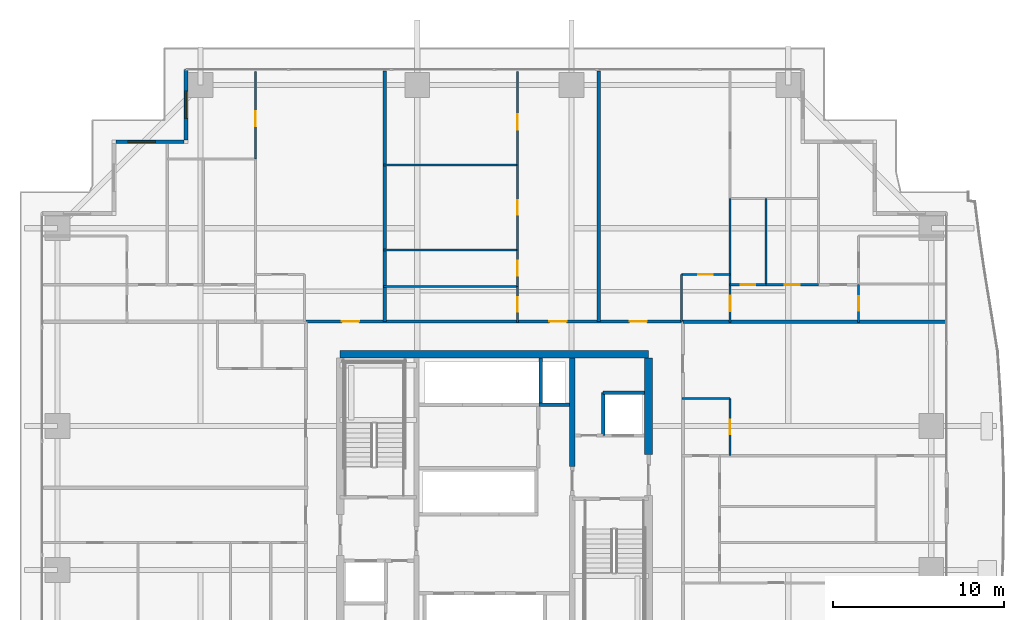
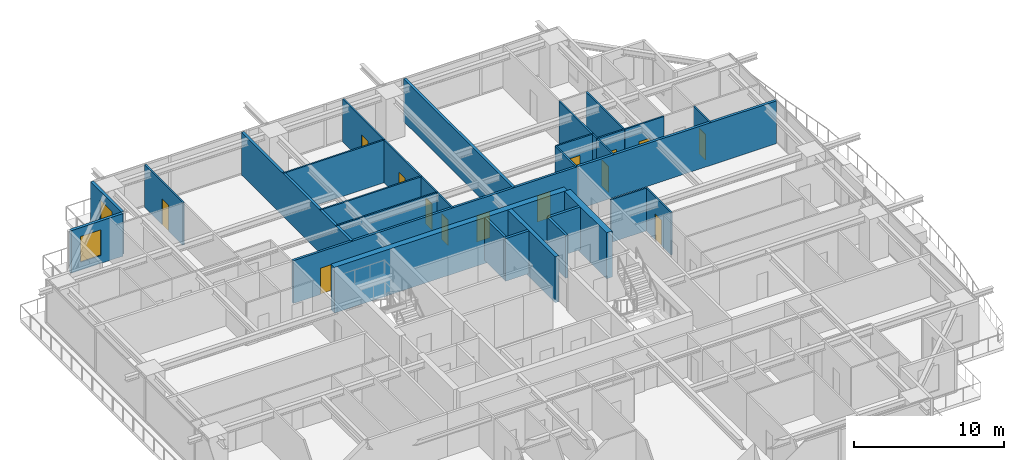
# One storey, part 31 of 39: 31 walls, 14 doors, 2 windows, 16 openings.
"""IFC4 building model written with IfcOpenShell, lengths in metres."""

from ifc_helpers import new_model, si_unit, direction, frame, frame_2d, origin, place, context, subcontext, project, spatial, rectangle, extrude, source, transform, mapped, material, layer, layer_set, type_object, element, fill, save


model = new_model("IFC4")

# Units and contexts
model_context = context("Model", 3, precision=1e-05, world=origin(), true_north=direction((0.0, 1.0)))
body_context = subcontext(model_context, "Body", "Model", "MODEL_VIEW")
ifc_project = project(units=[si_unit("LENGTHUNIT", "METRE"), si_unit("AREAUNIT", "SQUARE_METRE"), si_unit("VOLUMEUNIT", "CUBIC_METRE"), si_unit("PLANEANGLEUNIT", "RADIAN"), si_unit("MASSUNIT", "GRAM", prefix="KILO")], contexts=[model_context])

# Site, building, storey
site_placement = place(None, origin())
site = spatial("IfcSite", under=ifc_project, at=site_placement, CompositionType="ELEMENT")
building_placement = place(site_placement, origin())
building = spatial("IfcBuilding", under=site, at=building_placement, Name="Serunith Strait Residences", CompositionType="ELEMENT")
storey_placement = place(building_placement, frame((0.0, 0.0, 49.199951171875)))
storey = spatial("IfcBuildingStorey", under=building, at=storey_placement, Name="L11", CompositionType="ELEMENT", Elevation=49.199951171875)

# Wall, opening, window
ifc_material_1 = material(Name="Pale-Champagne Aluminium Insulated Panel", Category="aluminium")
ifc_layer_1 = layer(ifc_material_1, 0.219970703125, Name="Pale-Champagne Aluminium Insulated Panel")
ifc_layer_set_1 = layer_set([ifc_layer_1], Name="Pale-Champagne Aluminium Insulated Panel")
wall_type_1 = type_object("IfcWallType", Name="EW-ALUM-220", PredefinedType="ELEMENTEDWALL", material=ifc_layer_set_1)
wall_1_placement = place(storey_placement, frame((14.39990234375, 50.199951171875, 0.0), z_axis=(0.0, 0.0, 1.0), x_axis=(0.0, -1.0, 0.0)))
wall_1 = element("IfcWall", 1, at=wall_1_placement, inside=storey, type_object=wall_type_1, Name="L11 Girih Serrated Corner Wall 12", PredefinedType="ELEMENTEDWALL", context=body_context, shape_type="SweptSolid", body=[
    extrude(rectangle(XDim=4.08984375, YDim=0.219970703125, at=frame_2d((2.044921875, 0.0))), origin(), (0.0, 0.0, 1.0), 3.47509765625),
])
opening_1_placement = place(wall_1_placement, frame((1.2451171875, 0.0, 0.64990234375)))
opening_1 = element("IfcOpeningElement", 2, at=opening_1_placement, cuts=wall_1, Name="Opening W-02", PredefinedType="OPENING", context=body_context, shape_type="SweptSolid", body=[
    extrude(rectangle(XDim=1.60009765625, YDim=2.10009765625, at=frame_2d((0.800048828125, 1.050048828125))), frame((0.0, 0.1201171875, 0.0), z_axis=(0.0, -1.0, 0.0), x_axis=(1.0, 0.0, 0.0)), (0.0, 0.0, 1.0), 0.239990234375),
])
ifc_material_2 = material(Name="Ceramic-Fritted Operable Aluminium Window Glass", Category="aluminium")
window_type = type_object("IfcWindowType", Name="WIN-C2", PartitioningType="DOUBLE_PANEL_VERTICAL", PredefinedType="WINDOW", material=ifc_material_2)
shared_shape_1 = source(origin(), body_context, "Body", "SweptSolid", [
    extrude(rectangle(XDim=1.60009765625, YDim=2.10009765625, at=frame_2d((0.800048828125, 1.050048828125))), frame((0.0, 0.030029296875, 0.0), z_axis=(0.0, -1.0, 0.0), x_axis=(1.0, 0.0, 0.0)), (0.0, 0.0, 1.0), 0.06005859375),
])
window_1_placement = place(opening_1_placement, origin())
window_1 = element("IfcWindow", 3, at=window_1_placement, inside=storey, type_object=window_type, Name="L11 Corner Operable Fritted Window 12", OverallHeight=2.10009765625, OverallWidth=1.60009765625, PartitioningType="SINGLE_PANEL", PredefinedType="WINDOW", context=body_context, shape_type="MappedRepresentation", body=[
    mapped(shared_shape_1, transform((0.0, 0.0, 0.0), scale=1.0)),
])
fill(opening_1, window_1)

wall_2_placement = place(storey_placement, frame((14.2900390625, 46.0, 0.0), z_axis=(0.0, 0.0, 1.0), x_axis=(-1.0, 0.0, 0.0)))
wall_2 = element("IfcWall", 4, at=wall_2_placement, inside=storey, type_object=wall_type_1, Name="L11 Girih Serrated Corner Wall 13", PredefinedType="ELEMENTEDWALL", context=body_context, shape_type="SweptSolid", body=[
    extrude(rectangle(XDim=3.97998046875, YDim=0.219970703125, at=frame_2d((1.989990234375, 0.0))), origin(), (0.0, 0.0, 1.0), 3.47509765625),
])
opening_2_placement = place(wall_2_placement, frame((1.666015625, 0.0, 0.64990234375)))
opening_2 = element("IfcOpeningElement", 5, at=opening_2_placement, cuts=wall_2, Name="Opening W-02", PredefinedType="OPENING", context=body_context, shape_type="SweptSolid", body=[
    extrude(rectangle(XDim=1.60009765625, YDim=2.10009765625, at=frame_2d((0.800048828125, 1.050048828125))), frame((0.0, 0.1201171875, 0.0), z_axis=(0.0, -1.0, 0.0), x_axis=(1.0, 0.0, 0.0)), (0.0, 0.0, 1.0), 0.239990234375),
])
window_2_placement = place(opening_2_placement, origin())
window_2 = element("IfcWindow", 6, at=window_2_placement, inside=storey, type_object=window_type, Name="L11 Corner Operable Fritted Window 13", OverallHeight=2.10009765625, OverallWidth=1.60009765625, PartitioningType="SINGLE_PANEL", PredefinedType="WINDOW", context=body_context, shape_type="MappedRepresentation", body=[
    mapped(shared_shape_1, transform((0.0, 0.0, 0.0), scale=1.0)),
])
fill(opening_2, window_2)

# Wall, openings, doors
ifc_material_3 = material(Name="Fire-rated acoustic gypsum partition")
ifc_layer_2 = layer(ifc_material_3, 0.179931640625, Name="Fire-rated acoustic gypsum partition")
ifc_layer_set_2 = layer_set([ifc_layer_2], Name="Fire-rated acoustic gypsum partition")
wall_type_2 = type_object("IfcWallType", Name="IW-CORR-180", PredefinedType="PARTITIONING", material=ifc_layer_set_2)
wall_3_placement = place(storey_placement, frame((21.402099609375, 35.5, 0.0), z_axis=(0.0, 0.0, 1.0), x_axis=(1.0, 0.0, 0.0)))
wall_3 = element("IfcWall", 7, at=wall_3_placement, inside=storey, type_object=wall_type_2, Name="L11 Partition Wall 022", PredefinedType="PARTITIONING", context=body_context, shape_type="SweptSolid", body=[
    extrude(rectangle(XDim=21.995849609375, YDim=0.179931640625, at=frame_2d((10.998046875, 0.0))), origin(), (0.0, 0.0, 1.0), 3.489990234375),
])
opening_3_placement = place(wall_3_placement, frame((2.10009765625, 0.0, 0.0)))
opening_3 = element("IfcOpeningElement", 8, at=opening_3_placement, cuts=wall_3, Name="Opening D-APT1000", PredefinedType="OPENING", context=body_context, shape_type="SweptSolid", body=[
    extrude(rectangle(XDim=1.0, YDim=2.14990234375, at=frame_2d((0.5, 1.074951171875))), frame((0.0, 0.10009765625, 0.0), z_axis=(0.0, -1.0, 0.0), x_axis=(1.0, 0.0, 0.0)), (0.0, 0.0, 1.0), 0.199951171875),
])
opening_4_placement = place(wall_3_placement, frame((14.214111328125, 0.0, 0.0)))
opening_4 = element("IfcOpeningElement", 9, at=opening_4_placement, cuts=wall_3, Name="Opening D-APT1000", PredefinedType="OPENING", context=body_context, shape_type="SweptSolid", body=[
    extrude(rectangle(XDim=1.0, YDim=2.14990234375, at=frame_2d((0.5, 1.074951171875))), frame((0.0, 0.10009765625, 0.0), z_axis=(0.0, -1.0, 0.0), x_axis=(1.0, 0.0, 0.0)), (0.0, 0.0, 1.0), 0.199951171875),
])
opening_5_placement = place(wall_3_placement, frame((18.89599609375, 0.0, 0.0)))
opening_5 = element("IfcOpeningElement", 10, at=opening_5_placement, cuts=wall_3, Name="Opening D-APT1000", PredefinedType="OPENING", context=body_context, shape_type="SweptSolid", body=[
    extrude(rectangle(XDim=1.0, YDim=2.14990234375, at=frame_2d((0.5, 1.074951171875))), frame((0.0, 0.10009765625, 0.0), z_axis=(0.0, -1.0, 0.0), x_axis=(1.0, 0.0, 0.0)), (0.0, 0.0, 1.0), 0.199951171875),
])
ifc_material_4 = material(Name="Solid timber engineered fire door", Category="wood")
door_type_1 = type_object("IfcDoorType", Name="ID-APT-1000", OperationType="NOTDEFINED", PredefinedType="DOOR", material=ifc_material_4)
shared_shape_2 = source(origin(), body_context, "Body", "SweptSolid", [
    extrude(rectangle(XDim=1.0, YDim=2.14990234375, at=frame_2d((0.5, 1.074951171875))), frame((0.0, 0.02490234375, 0.0), z_axis=(0.0, -1.0, 0.0), x_axis=(1.0, 0.0, 0.0)), (0.0, 0.0, 1.0), 0.050048828125),
])
door_1_placement = place(opening_3_placement, origin())
door_1 = element("IfcDoor", 11, at=door_1_placement, inside=storey, type_object=door_type_1, Name="L11 Unit 02 Entrance Door", OperationType="SINGLE_SWING_LEFT", OverallHeight=2.14990234375, OverallWidth=1.0, PredefinedType="DOOR", context=body_context, shape_type="MappedRepresentation", body=[
    mapped(shared_shape_2, transform((0.0, 0.0, 0.0), scale=1.0)),
])
fill(opening_3, door_1)
door_2_placement = place(opening_4_placement, origin())
door_2 = element("IfcDoor", 12, at=door_2_placement, inside=storey, type_object=door_type_1, Name="L11 Unit 03 Entrance Door", OperationType="SINGLE_SWING_RIGHT", OverallHeight=2.14990234375, OverallWidth=1.0, PredefinedType="DOOR", context=body_context, shape_type="MappedRepresentation", body=[
    mapped(shared_shape_2, transform((0.0, 0.0, 0.0), scale=1.0)),
])
fill(opening_4, door_2)
door_3_placement = place(opening_5_placement, origin())
door_3 = element("IfcDoor", 13, at=door_3_placement, inside=storey, type_object=door_type_1, Name="L11 Unit 04 Entrance Door", OperationType="SINGLE_SWING_LEFT", OverallHeight=2.14990234375, OverallWidth=1.0, PredefinedType="DOOR", context=body_context, shape_type="MappedRepresentation", body=[
    mapped(shared_shape_2, transform((0.0, 0.0, 0.0), scale=1.0)),
])
fill(opening_5, door_3)

# Wall, opening, door
ifc_material_5 = material(Name="Lightweight steel-stud gypsum partition", Category="steel")
ifc_layer_3 = layer(ifc_material_5, 0.1201171875, Name="Lightweight steel-stud gypsum partition")
ifc_layer_set_3 = layer_set([ifc_layer_3], Name="Lightweight steel-stud gypsum partition")
wall_type_3 = type_object("IfcWallType", Name="IW-PART-120", PredefinedType="PARTITIONING", material=ifc_layer_set_3)
wall_4_placement = place(storey_placement, frame((18.4599609375, 50.10498046875, 0.0), z_axis=(0.0, 0.0, 1.0), x_axis=(0.0, -1.0, 0.0)))
wall_4 = element("IfcWall", 14, at=wall_4_placement, inside=storey, type_object=wall_type_3, Name="L11 Partition Wall 060", PredefinedType="PARTITIONING", context=body_context, shape_type="SweptSolid", body=[
    extrude(rectangle(XDim=5.115966796875, YDim=0.1201171875, at=frame_2d((2.55810546875, 0.0))), origin(), (0.0, 0.0, 1.0), 3.489990234375),
])
opening_6_placement = place(wall_4_placement, frame((2.319091796875, 0.0, 0.0)))
opening_6 = element("IfcOpeningElement", 15, at=opening_6_placement, cuts=wall_4, Name="Opening D-RM900", PredefinedType="OPENING", context=body_context, shape_type="SweptSolid", body=[
    extrude(rectangle(XDim=0.89990234375, YDim=2.10009765625, at=frame_2d((0.449951171875, 1.050048828125))), frame((0.0, 0.070068359375, 0.0), z_axis=(0.0, -1.0, 0.0), x_axis=(1.0, 0.0, 0.0)), (0.0, 0.0, 1.0), 0.14013671875),
])
ifc_material_6 = material(Name="Engineered timber flush bedroom door", Category="wood")
door_type_2 = type_object("IfcDoorType", Name="ID-ROOM-900", OperationType="NOTDEFINED", PredefinedType="DOOR", material=ifc_material_6)
shared_shape_3 = source(origin(), body_context, "Body", "SweptSolid", [
    extrude(rectangle(XDim=0.89990234375, YDim=2.10009765625, at=frame_2d((0.449951171875, 1.050048828125))), frame((0.0, 0.02490234375, 0.0), z_axis=(0.0, -1.0, 0.0), x_axis=(1.0, 0.0, 0.0)), (0.0, 0.0, 1.0), 0.050048828125),
])
door_4_placement = place(opening_6_placement, origin())
door_4 = element("IfcDoor", 16, at=door_4_placement, inside=storey, type_object=door_type_2, Name="L11 Study 1 1102 Door", OperationType="SINGLE_SWING_RIGHT", OverallHeight=2.10009765625, OverallWidth=0.89990234375, PredefinedType="DOOR", context=body_context, shape_type="MappedRepresentation", body=[
    mapped(shared_shape_3, transform((0.0, 0.0, 0.0), scale=1.0)),
])
fill(opening_6, door_4)

wall_5_placement = place(storey_placement, frame((33.75, 50.10498046875, 0.0), z_axis=(0.0, 0.0, 1.0), x_axis=(0.0, -1.0, 0.0)))
wall_5 = element("IfcWall", 17, at=wall_5_placement, inside=storey, type_object=wall_type_3, Name="L11 Partition Wall 072", PredefinedType="PARTITIONING", context=body_context, shape_type="SweptSolid", body=[
    extrude(rectangle(XDim=5.47509765625, YDim=0.1201171875, at=frame_2d((2.737548828125, 0.0))), origin(), (0.0, 0.0, 1.0), 3.489990234375),
])
opening_7_placement = place(wall_5_placement, frame((2.51611328125, 0.0, 0.0)))
opening_7 = element("IfcOpeningElement", 18, at=opening_7_placement, cuts=wall_5, Name="Opening D-RM900", PredefinedType="OPENING", context=body_context, shape_type="SweptSolid", body=[
    extrude(rectangle(XDim=0.89990234375, YDim=2.10009765625, at=frame_2d((0.449951171875, 1.050048828125))), frame((0.0, 0.070068359375, 0.0), z_axis=(0.0, -1.0, 0.0), x_axis=(1.0, 0.0, 0.0)), (0.0, 0.0, 1.0), 0.14013671875),
])
door_5_placement = place(opening_7_placement, origin())
door_5 = element("IfcDoor", 19, at=door_5_placement, inside=storey, type_object=door_type_2, Name="L11 Master Bedroom 1 1103 Door", OperationType="SINGLE_SWING_RIGHT", OverallHeight=2.10009765625, OverallWidth=0.89990234375, PredefinedType="DOOR", context=body_context, shape_type="MappedRepresentation", body=[
    mapped(shared_shape_3, transform((0.0, 0.0, 0.0), scale=1.0)),
])
fill(opening_7, door_5)

# Walls
for number, where, z_axis, x_axis, name in (
    (20, (25.93994140625, 44.6298828125, 0.0), (0.0, 0.0, 1.0), (1.0, 0.0, 0.0), "L11 Partition Wall 073"),
    (21, (25.93994140625, 39.678955078125, 0.0), (0.0, 0.0, 1.0), (1.0, 0.0, 0.0), "L11 Partition Wall 074"),
    (22, (25.93994140625, 37.550048828125, 0.0), (0.0, 0.0, 1.0), (1.0, 0.0, 0.0), "L11 Partition Wall 075"),
):
    element("IfcWall", number, at=place(storey_placement, frame(where, z_axis=z_axis, x_axis=x_axis)), inside=storey, type_object=wall_type_3, Name=name, PredefinedType="PARTITIONING", context=body_context, shape_type="SweptSolid", body=[
        extrude(rectangle(XDim=7.81005859375, YDim=0.1201171875, at=frame_2d((3.905029296875, 0.0))), origin(), (0.0, 0.0, 1.0), 3.489990234375),
    ])

# Wall, opening, door
wall_6_placement = place(storey_placement, frame((33.75, 44.6279296875, 0.0), z_axis=(0.0, 0.0, 1.0), x_axis=(0.0, -1.0, 0.0)))
wall_6 = element("IfcWall", 23, at=wall_6_placement, inside=storey, type_object=wall_type_3, Name="L11 Partition Wall 076", PredefinedType="PARTITIONING", context=body_context, shape_type="SweptSolid", body=[
    extrude(rectangle(XDim=4.948974609375, YDim=0.1201171875, at=frame_2d((2.474609375, 0.0))), origin(), (0.0, 0.0, 1.0), 3.489990234375),
])
opening_8_placement = place(wall_6_placement, frame((2.049072265625, 0.0, 0.0)))
opening_8 = element("IfcOpeningElement", 24, at=opening_8_placement, cuts=wall_6, Name="Opening D-RM850", PredefinedType="OPENING", context=body_context, shape_type="SweptSolid", body=[
    extrude(rectangle(XDim=0.85009765625, YDim=2.10009765625, at=frame_2d((0.425048828125, 1.050048828125))), frame((0.0, 0.070068359375, 0.0), z_axis=(0.0, -1.0, 0.0), x_axis=(1.0, 0.0, 0.0)), (0.0, 0.0, 1.0), 0.14013671875),
])
ifc_material_7 = material(Name="Engineered timber flush study and kitchen door", Category="wood")
door_type_3 = type_object("IfcDoorType", Name="ID-ROOM-850", OperationType="NOTDEFINED", PredefinedType="DOOR", material=ifc_material_7)
shared_shape_4 = source(origin(), body_context, "Body", "SweptSolid", [
    extrude(rectangle(XDim=0.85009765625, YDim=2.10009765625, at=frame_2d((0.425048828125, 1.050048828125))), frame((0.0, 0.02490234375, 0.0), z_axis=(0.0, -1.0, 0.0), x_axis=(1.0, 0.0, 0.0)), (0.0, 0.0, 1.0), 0.050048828125),
])
door_6_placement = place(opening_8_placement, origin())
door_6 = element("IfcDoor", 25, at=door_6_placement, inside=storey, type_object=door_type_3, Name="L11 Dining 1103 Door", OperationType="SINGLE_SWING_LEFT", OverallHeight=2.10009765625, OverallWidth=0.85009765625, PredefinedType="DOOR", context=body_context, shape_type="MappedRepresentation", body=[
    mapped(shared_shape_4, transform((0.0, 0.0, 0.0), scale=1.0)),
])
fill(opening_8, door_6)

wall_7_placement = place(storey_placement, frame((33.75, 39.677001953125, 0.0), z_axis=(0.0, 0.0, 1.0), x_axis=(0.0, -1.0, 0.0)))
wall_7 = element("IfcWall", 26, at=wall_7_placement, inside=storey, type_object=wall_type_3, Name="L11 Partition Wall 077", PredefinedType="PARTITIONING", context=body_context, shape_type="SweptSolid", body=[
    extrude(rectangle(XDim=2.126953125, YDim=0.1201171875, at=frame_2d((1.0634765625, 0.0))), origin(), (0.0, 0.0, 1.0), 3.489990234375),
])
opening_9_placement = place(wall_7_placement, frame((0.638916015625, 0.0, 0.0)))
opening_9 = element("IfcOpeningElement", 27, at=opening_9_placement, cuts=wall_7, Name="Opening D-RM850", PredefinedType="OPENING", context=body_context, shape_type="SweptSolid", body=[
    extrude(rectangle(XDim=0.85009765625, YDim=2.10009765625, at=frame_2d((0.425048828125, 1.050048828125))), frame((0.0, 0.070068359375, 0.0), z_axis=(0.0, -1.0, 0.0), x_axis=(1.0, 0.0, 0.0)), (0.0, 0.0, 1.0), 0.14013671875),
])
door_7_placement = place(opening_9_placement, origin())
door_7 = element("IfcDoor", 28, at=door_7_placement, inside=storey, type_object=door_type_3, Name="L11 Kitchen 1103 Door", OperationType="SINGLE_SWING_RIGHT", OverallHeight=2.10009765625, OverallWidth=0.85009765625, PredefinedType="DOOR", context=body_context, shape_type="MappedRepresentation", body=[
    mapped(shared_shape_4, transform((0.0, 0.0, 0.0), scale=1.0)),
])
fill(opening_9, door_7)

wall_8_placement = place(storey_placement, frame((33.75, 37.548095703125, 0.0), z_axis=(0.0, 0.0, 1.0), x_axis=(0.0, -1.0, 0.0)))
wall_8 = element("IfcWall", 29, at=wall_8_placement, inside=storey, type_object=wall_type_3, Name="L11 Partition Wall 078", PredefinedType="PARTITIONING", context=body_context, shape_type="SweptSolid", body=[
    extrude(rectangle(XDim=2.108154296875, YDim=0.1201171875, at=frame_2d((1.05419921875, 0.0))), origin(), (0.0, 0.0, 1.0), 3.489990234375),
])
opening_10_placement = place(wall_8_placement, frame((0.62890625, 0.0, 0.0)))
opening_10 = element("IfcOpeningElement", 30, at=opening_10_placement, cuts=wall_8, Name="Opening D-BTH850", PredefinedType="OPENING", context=body_context, shape_type="SweptSolid", body=[
    extrude(rectangle(XDim=0.85009765625, YDim=2.10009765625, at=frame_2d((0.425048828125, 1.050048828125))), frame((0.0, 0.070068359375, 0.0), z_axis=(0.0, -1.0, 0.0), x_axis=(1.0, 0.0, 0.0)), (0.0, 0.0, 1.0), 0.14013671875),
])
ifc_material_8 = material(Name="Moisture-resistant timber bathroom door", Category="wood")
door_type_4 = type_object("IfcDoorType", Name="ID-BATH-850", OperationType="NOTDEFINED", PredefinedType="DOOR", material=ifc_material_8)
door_8_placement = place(opening_10_placement, origin())
door_8 = element("IfcDoor", 31, at=door_8_placement, inside=storey, type_object=door_type_4, Name="L11 Bathroom 1103 Door", OperationType="SINGLE_SWING_LEFT", OverallHeight=2.10009765625, OverallWidth=0.85009765625, PredefinedType="DOOR", context=body_context, shape_type="MappedRepresentation", body=[
    mapped(shared_shape_4, transform((0.0, 0.0, 0.0), scale=1.0)),
])
fill(opening_10, door_8)

wall_9_placement = place(storey_placement, frame((43.31005859375, 38.25, 0.0), z_axis=(0.0, 0.0, 1.0), x_axis=(1.0, 0.0, 0.0)))
wall_9 = element("IfcWall", 32, at=wall_9_placement, inside=storey, type_object=wall_type_3, Name="L11 Partition Wall 079", PredefinedType="PARTITIONING", context=body_context, shape_type="SweptSolid", body=[
    extrude(rectangle(XDim=2.849853515625, YDim=0.1201171875, at=frame_2d((1.4248046875, 0.0))), origin(), (0.0, 0.0, 1.0), 3.489990234375),
])
opening_11_placement = place(wall_9_placement, frame((1.0, 0.0, 0.0)))
opening_11 = element("IfcOpeningElement", 33, at=opening_11_placement, cuts=wall_9, Name="Opening D-RM850", PredefinedType="OPENING", context=body_context, shape_type="SweptSolid", body=[
    extrude(rectangle(XDim=0.85009765625, YDim=2.10009765625, at=frame_2d((0.425048828125, 1.050048828125))), frame((0.0, 0.070068359375, 0.0), z_axis=(0.0, -1.0, 0.0), x_axis=(1.0, 0.0, 0.0)), (0.0, 0.0, 1.0), 0.14013671875),
])
door_9_placement = place(opening_11_placement, origin())
door_9 = element("IfcDoor", 34, at=door_9_placement, inside=storey, type_object=door_type_3, Name="L11 Kitchen 1104 Door", OperationType="SINGLE_SWING_RIGHT", OverallHeight=2.10009765625, OverallWidth=0.85009765625, PredefinedType="DOOR", context=body_context, shape_type="MappedRepresentation", body=[
    mapped(shared_shape_4, transform((0.0, 0.0, 0.0), scale=1.0)),
])
fill(opening_11, door_9)

# Wall
wall_10_placement = place(storey_placement, frame((43.31005859375, 38.25, 0.0), z_axis=(0.0, 0.0, 1.0), x_axis=(0.0, -1.0, 0.0)))
element("IfcWall", 35, at=wall_10_placement, inside=storey, type_object=wall_type_3, Name="L11 Partition Wall 080", PredefinedType="PARTITIONING", context=body_context, shape_type="SweptSolid", body=[
    extrude(rectangle(XDim=2.748046875, YDim=0.1201171875, at=frame_2d((1.3740234375, 0.0))), origin(), (0.0, 0.0, 1.0), 3.489990234375),
])

# Wall, opening, door
wall_11_placement = place(storey_placement, frame((46.159912109375, 37.64990234375, 0.0), z_axis=(0.0, 0.0, 1.0), x_axis=(0.0, -1.0, 0.0)))
wall_11 = element("IfcWall", 36, at=wall_11_placement, inside=storey, type_object=wall_type_3, Name="L11 Partition Wall 081", PredefinedType="PARTITIONING", context=body_context, shape_type="SweptSolid", body=[
    extrude(rectangle(XDim=2.2099609375, YDim=0.1201171875, at=frame_2d((1.10498046875, 0.0))), origin(), (0.0, 0.0, 1.0), 3.489990234375),
])
opening_12_placement = place(wall_11_placement, frame((0.655029296875, 0.0, 0.0)))
opening_12 = element("IfcOpeningElement", 37, at=opening_12_placement, cuts=wall_11, Name="Opening D-RM900", PredefinedType="OPENING", context=body_context, shape_type="SweptSolid", body=[
    extrude(rectangle(XDim=0.89990234375, YDim=2.10009765625, at=frame_2d((0.449951171875, 1.050048828125))), frame((0.0, 0.070068359375, 0.0), z_axis=(0.0, -1.0, 0.0), x_axis=(1.0, 0.0, 0.0)), (0.0, 0.0, 1.0), 0.14013671875),
])
door_10_placement = place(opening_12_placement, origin())
door_10 = element("IfcDoor", 38, at=door_10_placement, inside=storey, type_object=door_type_2, Name="L11 Hall E 1104 Door", OperationType="SINGLE_SWING_LEFT", OverallHeight=2.10009765625, OverallWidth=0.89990234375, PredefinedType="DOOR", context=body_context, shape_type="MappedRepresentation", body=[
    mapped(shared_shape_3, transform((0.0, 0.0, 0.0), scale=1.0)),
])
fill(opening_12, door_10)

# Walls
wall_12_placement = place(storey_placement, frame((46.159912109375, 42.669921875, 0.0), z_axis=(0.0, 0.0, 1.0), x_axis=(0.0, -1.0, 0.0)))
element("IfcWall", 39, at=wall_12_placement, inside=storey, type_object=wall_type_3, Name="L11 Partition Wall 083", PredefinedType="PARTITIONING", context=body_context, shape_type="SweptSolid", body=[
    extrude(rectangle(XDim=5.017822265625, YDim=0.1201171875, at=frame_2d((2.5087890625, 0.0))), origin(), (0.0, 0.0, 1.0), 3.489990234375),
])
wall_13_placement = place(storey_placement, frame((48.260009765625, 42.672119140625, 0.0), z_axis=(0.0, 0.0, 1.0), x_axis=(0.0, -1.0, 0.0)))
element("IfcWall", 40, at=wall_13_placement, inside=storey, type_object=wall_type_3, Name="L11 Partition Wall 086", PredefinedType="PARTITIONING", context=body_context, shape_type="SweptSolid", body=[
    extrude(rectangle(XDim=5.022216796875, YDim=0.1201171875, at=frame_2d((2.51123046875, 0.0))), origin(), (0.0, 0.0, 1.0), 3.489990234375),
])

# Wall, opening, door
wall_14_placement = place(storey_placement, frame((46.159912109375, 37.64990234375, 0.0), z_axis=(0.0, 0.0, 1.0), x_axis=(1.0, 0.0, 0.0)))
wall_14 = element("IfcWall", 41, at=wall_14_placement, inside=storey, type_object=wall_type_3, Name="L11 Partition Wall 087", PredefinedType="PARTITIONING", context=body_context, shape_type="SweptSolid", body=[
    extrude(rectangle(XDim=2.10009765625, YDim=0.1201171875, at=frame_2d((1.050048828125, 0.0))), origin(), (0.0, 0.0, 1.0), 3.489990234375),
])
opening_13_placement = place(wall_14_placement, frame((0.625, 0.0, 0.0)))
opening_13 = element("IfcOpeningElement", 42, at=opening_13_placement, cuts=wall_14, Name="Opening D-BTH850", PredefinedType="OPENING", context=body_context, shape_type="SweptSolid", body=[
    extrude(rectangle(XDim=0.85009765625, YDim=2.10009765625, at=frame_2d((0.425048828125, 1.050048828125))), frame((0.0, 0.070068359375, 0.0), z_axis=(0.0, -1.0, 0.0), x_axis=(1.0, 0.0, 0.0)), (0.0, 0.0, 1.0), 0.14013671875),
])
door_11_placement = place(opening_13_placement, origin())
door_11 = element("IfcDoor", 43, at=door_11_placement, inside=storey, type_object=door_type_4, Name="L11 Bathroom 1104 Door", OperationType="SINGLE_SWING_LEFT", OverallHeight=2.10009765625, OverallWidth=0.85009765625, PredefinedType="DOOR", context=body_context, shape_type="MappedRepresentation", body=[
    mapped(shared_shape_4, transform((0.0, 0.0, 0.0), scale=1.0)),
])
fill(opening_13, door_11)

wall_15_placement = place(storey_placement, frame((48.261962890625, 37.64990234375, 0.0), z_axis=(0.0, 0.0, 1.0), x_axis=(1.0, 0.0, 0.0)))
wall_15 = element("IfcWall", 44, at=wall_15_placement, inside=storey, type_object=wall_type_3, Name="L11 Partition Wall 088", PredefinedType="PARTITIONING", context=body_context, shape_type="SweptSolid", body=[
    extrude(rectangle(XDim=3.048095703125, YDim=0.1201171875, at=frame_2d((1.52392578125, 0.0))), origin(), (0.0, 0.0, 1.0), 3.489990234375),
])
opening_14_placement = place(wall_15_placement, frame((1.09912109375, 0.0, 0.0)))
opening_14 = element("IfcOpeningElement", 45, at=opening_14_placement, cuts=wall_15, Name="Opening D-RM850", PredefinedType="OPENING", context=body_context, shape_type="SweptSolid", body=[
    extrude(rectangle(XDim=0.85009765625, YDim=2.10009765625, at=frame_2d((0.425048828125, 1.050048828125))), frame((0.0, 0.070068359375, 0.0), z_axis=(0.0, -1.0, 0.0), x_axis=(1.0, 0.0, 0.0)), (0.0, 0.0, 1.0), 0.14013671875),
])
door_12_placement = place(opening_14_placement, origin())
door_12 = element("IfcDoor", 46, at=door_12_placement, inside=storey, type_object=door_type_3, Name="L11 Laundry Room 1104 Door", OperationType="SINGLE_SWING_RIGHT", OverallHeight=2.10009765625, OverallWidth=0.85009765625, PredefinedType="DOOR", context=body_context, shape_type="MappedRepresentation", body=[
    mapped(shared_shape_4, transform((0.0, 0.0, 0.0), scale=1.0)),
])
fill(opening_14, door_12)

wall_16_placement = place(storey_placement, frame((53.659912109375, 37.64990234375, 0.0), z_axis=(0.0, 0.0, 1.0), x_axis=(0.0, -1.0, 0.0)))
wall_16 = element("IfcWall", 47, at=wall_16_placement, inside=storey, type_object=wall_type_3, Name="L11 Partition Wall 093", PredefinedType="PARTITIONING", context=body_context, shape_type="SweptSolid", body=[
    extrude(rectangle(XDim=2.2099609375, YDim=0.1201171875, at=frame_2d((1.10498046875, 0.0))), origin(), (0.0, 0.0, 1.0), 3.489990234375),
])
opening_15_placement = place(wall_16_placement, frame((0.679931640625, 0.0, 0.0)))
opening_15 = element("IfcOpeningElement", 48, at=opening_15_placement, cuts=wall_16, Name="Opening D-RM850", PredefinedType="OPENING", context=body_context, shape_type="SweptSolid", body=[
    extrude(rectangle(XDim=0.85009765625, YDim=2.10009765625, at=frame_2d((0.425048828125, 1.050048828125))), frame((0.0, 0.070068359375, 0.0), z_axis=(0.0, -1.0, 0.0), x_axis=(1.0, 0.0, 0.0)), (0.0, 0.0, 1.0), 0.14013671875),
])
door_13_placement = place(opening_15_placement, origin())
door_13 = element("IfcDoor", 49, at=door_13_placement, inside=storey, type_object=door_type_3, Name="L11 Wardrobe E 1104 Door", OperationType="SINGLE_SWING_LEFT", OverallHeight=2.10009765625, OverallWidth=0.85009765625, PredefinedType="DOOR", context=body_context, shape_type="MappedRepresentation", body=[
    mapped(shared_shape_4, transform((0.0, 0.0, 0.0), scale=1.0)),
])
fill(opening_15, door_13)

wall_17_placement = place(storey_placement, frame((46.14990234375, 27.669921875, 0.0), z_axis=(0.0, 0.0, 1.0), x_axis=(0.0, 1.0, 0.0)))
wall_17 = element("IfcWall", 50, at=wall_17_placement, inside=storey, type_object=wall_type_3, Name="L11 Partition Wall 105", PredefinedType="PARTITIONING", context=body_context, shape_type="SweptSolid", body=[
    extrude(rectangle(XDim=3.330078125, YDim=0.1201171875, at=frame_2d((1.6650390625, 0.0))), origin(), (0.0, 0.0, 1.0), 3.489990234375),
])
opening_16_placement = place(wall_17_placement, frame((1.239990234375, 0.0, 0.0)))
opening_16 = element("IfcOpeningElement", 51, at=opening_16_placement, cuts=wall_17, Name="Opening D-RM850", PredefinedType="OPENING", context=body_context, shape_type="SweptSolid", body=[
    extrude(rectangle(XDim=0.85009765625, YDim=2.10009765625, at=frame_2d((0.425048828125, 1.050048828125))), frame((0.0, 0.070068359375, 0.0), z_axis=(0.0, -1.0, 0.0), x_axis=(1.0, 0.0, 0.0)), (0.0, 0.0, 1.0), 0.14013671875),
])
door_14_placement = place(opening_16_placement, origin())
door_14 = element("IfcDoor", 52, at=door_14_placement, inside=storey, type_object=door_type_3, Name="L11 Kitchen 1107 Door", OperationType="SINGLE_SWING_RIGHT", OverallHeight=2.10009765625, OverallWidth=0.85009765625, PredefinedType="DOOR", context=body_context, shape_type="MappedRepresentation", body=[
    mapped(shared_shape_4, transform((0.0, 0.0, 0.0), scale=1.0)),
])
fill(opening_16, door_14)

# Walls
wall_18_placement = place(storey_placement, frame((46.14990234375, 31.0, 0.0), z_axis=(0.0, 0.0, 1.0), x_axis=(-1.0, 0.0, 0.0)))
element("IfcWall", 53, at=wall_18_placement, inside=storey, type_object=wall_type_3, Name="L11 Partition Wall 106", PredefinedType="PARTITIONING", context=body_context, shape_type="SweptSolid", body=[
    extrude(rectangle(XDim=2.809814453125, YDim=0.1201171875, at=frame_2d((1.40478515625, 0.0))), origin(), (0.0, 0.0, 1.0), 3.489990234375),
])
ifc_material_9 = material(Name="Twin-stud acoustic gypsum board partition")
ifc_layer_4 = layer(ifc_material_9, 0.199951171875, Name="Twin-stud acoustic gypsum board partition")
ifc_layer_set_4 = layer_set([ifc_layer_4], Name="Twin-stud acoustic gypsum board partition")
wall_type_4 = type_object("IfcWallType", Name="IW-PARTY-200", PredefinedType="PARTITIONING", material=ifc_layer_set_4)
for number, where, z_axis, x_axis, name in (
    (54, (26.0, 35.5, 0.0), (0.0, 0.0, 1.0), (0.0, 1.0, 0.0), "L11 Partition Wall 014"),
    (55, (38.5, 35.5, 0.0), (0.0, 0.0, 1.0), (0.0, 1.0, 0.0), "L11 Partition Wall 015"),
):
    element("IfcWall", number, at=place(storey_placement, frame(where, z_axis=z_axis, x_axis=x_axis)), inside=storey, type_object=wall_type_4, Name=name, PredefinedType="PARTITIONING", context=body_context, shape_type="SweptSolid", body=[
        extrude(rectangle(XDim=14.617919921875, YDim=0.199951171875, at=frame_2d((7.30908203125, 0.0))), origin(), (0.0, 0.0, 1.0), 3.489990234375),
    ])
wall_19_placement = place(storey_placement, frame((43.39990234375, 35.5, 0.0), z_axis=(0.0, 0.0, 1.0), x_axis=(1.0, 0.0, 0.0)))
element("IfcWall", 56, at=wall_19_placement, inside=storey, type_object=wall_type_4, Name="L11 Partition Wall 020", PredefinedType="PARTITIONING", context=body_context, shape_type="SweptSolid", body=[
    extrude(rectangle(XDim=15.318115234375, YDim=0.199951171875, at=frame_2d((7.6591796875, 0.0))), origin(), (0.0, 0.0, 1.0), 3.489990234375),
])
ifc_material_10 = material(Name="Autoclaved aerated concrete blockwork", Category="masonry")
ifc_layer_5 = layer(ifc_material_10, 0.199951171875, Name="Autoclaved aerated concrete blockwork")
ifc_layer_set_5 = layer_set([ifc_layer_5], Name="Autoclaved aerated concrete blockwork")
wall_type_5 = type_object("IfcWallType", Name="IW-SHAFT-200", PredefinedType="STANDARD", material=ifc_layer_set_5)
wall_20_placement = place(storey_placement, frame((35.0, 30.64990234375, 0.0), z_axis=(0.0, 0.0, 1.0), x_axis=(1.0, 0.0, 0.0)))
element("IfcWall", 57, at=wall_20_placement, inside=storey, type_object=wall_type_5, Name="L11 SL-1 South Shaft Wall", PredefinedType="STANDARD", context=body_context, shape_type="SweptSolid", body=[
    extrude(rectangle(XDim=1.800048828125, YDim=0.199951171875, at=frame_2d((0.89990234375, 0.0))), origin(), (0.0, 0.0, 1.0), 3.489990234375),
])
wall_21_placement = place(storey_placement, frame((35.10009765625, 30.75, 0.0), z_axis=(0.0, 0.0, 1.0), x_axis=(0.0, 1.0, 0.0)))
element("IfcWall", 58, at=wall_21_placement, inside=storey, type_object=wall_type_5, Name="L11 SL-1 West Shaft Wall", PredefinedType="STANDARD", context=body_context, shape_type="SweptSolid", body=[
    extrude(rectangle(XDim=2.625, YDim=0.199951171875, at=frame_2d((1.3125, 0.0))), origin(), (0.0, 0.0, 1.0), 3.489990234375),
])
wall_22_placement = place(storey_placement, frame((38.75, 28.85009765625, 0.0), z_axis=(0.0, 0.0, 1.0), x_axis=(0.0, 1.0, 0.0)))
element("IfcWall", 59, at=wall_22_placement, inside=storey, type_object=wall_type_5, Name="L11 Partition Wall 004", PredefinedType="STANDARD", context=body_context, shape_type="SweptSolid", body=[
    extrude(rectangle(XDim=2.5, YDim=0.199951171875, at=frame_2d((1.25, 0.0))), origin(), (0.0, 0.0, 1.0), 3.489990234375),
])
wall_23_placement = place(storey_placement, frame((38.75, 31.35009765625, 0.0), z_axis=(0.0, 0.0, 1.0), x_axis=(1.0, 0.0, 0.0)))
element("IfcWall", 60, at=wall_23_placement, inside=storey, type_object=wall_type_5, Name="L11 Partition Wall 005", PredefinedType="STANDARD", context=body_context, shape_type="SweptSolid", body=[
    extrude(rectangle(XDim=2.425048828125, YDim=0.199951171875, at=frame_2d((1.21240234375, 0.0))), origin(), (0.0, 0.0, 1.0), 3.489990234375),
])
ifc_material_11 = material(Name="Concrete C80/95", Category="concrete")
ifc_layer_6 = layer(ifc_material_11, 0.300048828125, Name="Concrete C80/95")
ifc_layer_set_6 = layer_set([ifc_layer_6], Name="Concrete C80/95")
wall_type_6 = type_object("IfcWallType", Name="SW-300-C80", PredefinedType="SHEAR", material=ifc_layer_set_6)
wall_24_placement = place(storey_placement, frame((36.949951171875, 27.050048828125, -0.260009765625), z_axis=(0.0, 0.0, 1.0), x_axis=(0.0, 1.0, 0.0)))
element("IfcWall", 61, at=wall_24_placement, inside=storey, type_object=wall_type_6, Name="L11 Core Internal East Web North Pier", PredefinedType="SHEAR", context=body_context, shape_type="SweptSolid", body=[
    extrude(rectangle(XDim=6.324951171875, YDim=0.300048828125, at=frame_2d((3.16259765625, 0.0))), origin(), (0.0, 0.0, 1.0), 3.748046875),
])
ifc_layer_7 = layer(ifc_material_11, 0.449951171875, Name="Concrete C80/95")
ifc_layer_set_7 = layer_set([ifc_layer_7], Name="Concrete C80/95")
wall_type_7 = type_object("IfcWallType", Name="SW-450-C80", PredefinedType="SHEAR", material=ifc_layer_set_7)
wall_25_placement = place(storey_placement, frame((41.39990234375, 33.60009765625, -0.260009765625), z_axis=(0.0, 0.0, 1.0), x_axis=(-1.0, 0.0, 0.0)))
element("IfcWall", 62, at=wall_25_placement, inside=storey, type_object=wall_type_7, Name="L11 Core North Shear Wall", PredefinedType="SHEAR", context=body_context, shape_type="SweptSolid", body=[
    extrude(rectangle(XDim=18.0, YDim=0.449951171875, at=frame_2d((9.0, 0.0))), origin(), (0.0, 0.0, 1.0), 3.748046875),
])
wall_26_placement = place(storey_placement, frame((41.39990234375, 27.75, -0.260009765625), z_axis=(0.0, 0.0, 1.0), x_axis=(0.0, 1.0, 0.0)))
element("IfcWall", 63, at=wall_26_placement, inside=storey, type_object=wall_type_7, Name="L11 Core East Shear Wall North Pier", PredefinedType="SHEAR", context=body_context, shape_type="SweptSolid", body=[
    extrude(rectangle(XDim=5.625, YDim=0.449951171875, at=frame_2d((2.8125, 0.0))), origin(), (0.0, 0.0, 1.0), 3.748046875),
])

save(model, "model.ifc")
